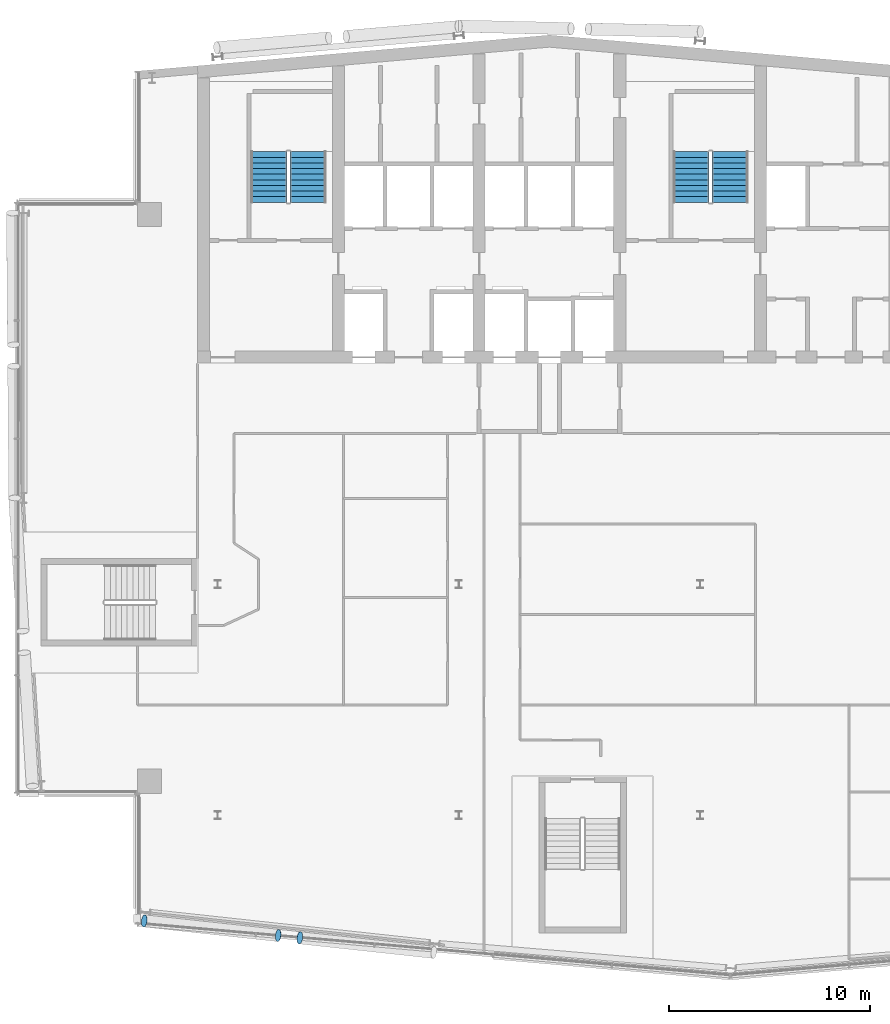
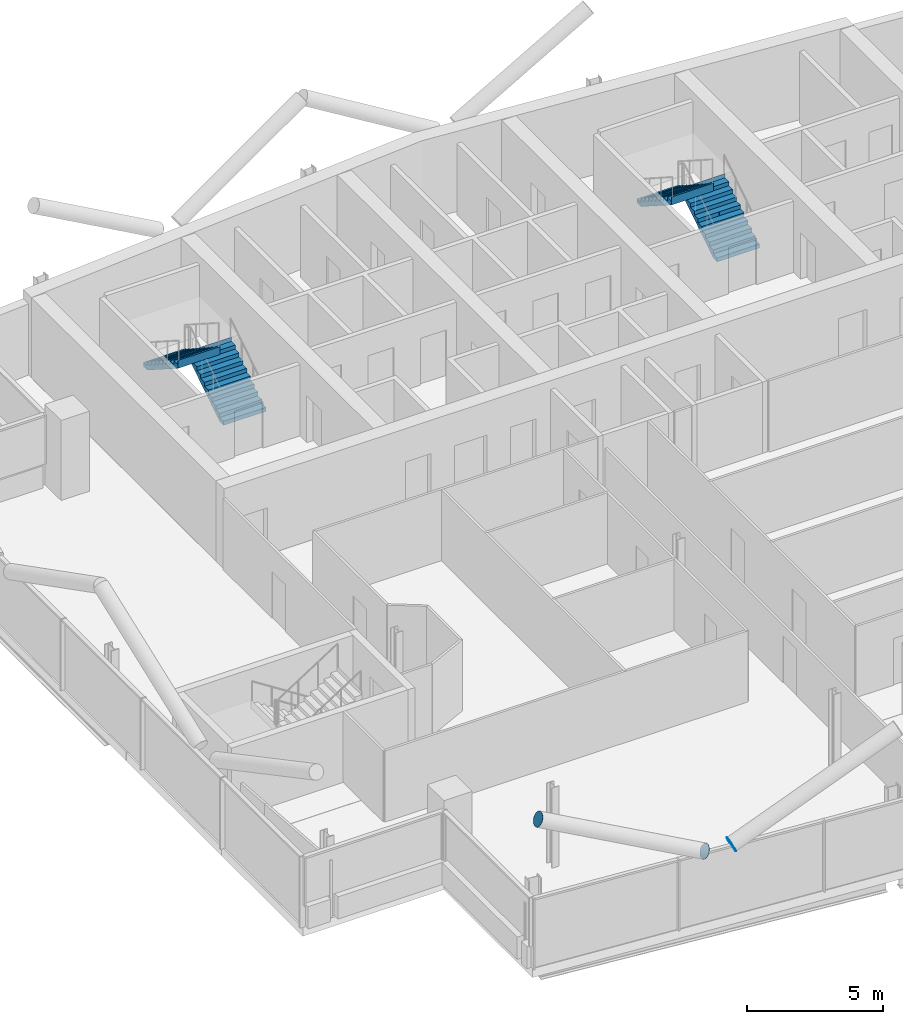
# One storey, part 20 of 27: 4 stair flights, 3 discrete accessories, 2 elements without a shape of their own.
"""IFC4 building model written with IfcOpenShell, lengths in metres."""

from ifc_helpers import new_model, si_unit, direction, frame, origin, origin_2d, place, context, subcontext, project, spatial, polyline, circle, outline, extrude, material, material_profile, profile_set, type_object, element, aggregate, save


model = new_model("IFC4")

# Units and contexts
model_context = context("Model", 3, precision=1e-05, world=origin(), true_north=direction((0.0, 1.0)))
body_context = subcontext(model_context, "Body", "Model", "MODEL_VIEW")
ifc_project = project(units=[si_unit("LENGTHUNIT", "METRE"), si_unit("AREAUNIT", "SQUARE_METRE"), si_unit("VOLUMEUNIT", "CUBIC_METRE"), si_unit("PLANEANGLEUNIT", "RADIAN"), si_unit("MASSUNIT", "GRAM", prefix="KILO")], contexts=[model_context])

# Site, building, storey
site_placement = place(None, origin())
site = spatial("IfcSite", under=ifc_project, at=site_placement, CompositionType="ELEMENT")
building_placement = place(site_placement, origin())
building = spatial("IfcBuilding", under=site, at=building_placement, Name="Wharfspan Tower", CompositionType="ELEMENT")
storey_placement = place(building_placement, frame((0.0, 0.0, 228.699951)))
storey = spatial("IfcBuildingStorey", under=building, at=storey_placement, Name="L57", CompositionType="ELEMENT", Elevation=228.699951)

# Stair, stair flights
ifc_material_1 = material(Name="Concrete C40/50", Category="concrete")
stair_type = type_object("IfcStairType", Name="Half-turn stair 20 risers 180 mm", PredefinedType="HALF_TURN_STAIR", material=ifc_material_1)
stair_1_placement = place(storey_placement, origin())
stair_1 = element("IfcStair", 1, at=stair_1_placement, inside=storey, type_object=stair_type, Name="L57 stair ST1", PredefinedType="HALF_TURN_STAIR")
stair_flight_type = type_object("IfcStairFlightType", Name="Stair flight 20 risers 180 mm", PredefinedType="STRAIGHT", material=ifc_material_1)
stair_flight_1_placement = place(storey_placement, frame((28.5, 42.0, 0.0), z_axis=(0.0, 0.0, 1.0), x_axis=(0.0, 1.0, 0.0)))
stair_flight_1 = element("IfcStairFlight", 2, at=stair_flight_1_placement, type_object=stair_flight_type, Name="ST1 flight 1", NumberOfRisers=10, NumberOfTreads=9, PredefinedType="STRAIGHT", RiserHeight=0.18, TreadLength=0.28, context=body_context, shape_type="SweptSolid", body=[
    extrude(outline(polyline([(-0.011963, 0.0), (-0.011963, 0.179932), (0.0, 0.179932), (0.280029, 0.179932), (0.280029, 0.360107), (0.560059, 0.360107), (0.560059, 0.540039), (0.840088, 0.540039), (0.840088, 0.719971), (1.120117, 0.719971), (1.120117, 0.899902), (1.399902, 0.899902), (1.399902, 1.080078), (1.679932, 1.080078), (1.679932, 1.26001), (1.959961, 1.26001), (1.959961, 1.439941), (2.23999, 1.439941), (2.23999, 1.620117), (2.52002, 1.620117), (2.531982, 1.800049), (2.531982, 1.441895), (0.2771, 0.0), (-0.011963, 0.0)])), frame((0.0, 0.899902, 0.0), z_axis=(0.0, -1.0, 0.0), x_axis=(1.0, 0.0, 0.0)), (0.0, 0.0, 1.0), 0.899414),
    extrude(outline(polyline([(-0.011963, 0.0), (-0.011963, 0.179932), (0.0, 0.179932), (0.280029, 0.179932), (0.280029, 0.360107), (0.560059, 0.360107), (0.560059, 0.540039), (0.840088, 0.540039), (0.840088, 0.719971), (1.120117, 0.719971), (1.120117, 0.899902), (1.399902, 0.899902), (1.399902, 1.080078), (1.679932, 1.080078), (1.679932, 1.26001), (1.959961, 1.26001), (1.959961, 1.439941), (2.23999, 1.439941), (2.23999, 1.620117), (2.52002, 1.620117), (2.531982, 1.800049), (2.531982, 1.441895), (0.2771, 0.0), (-0.011963, 0.0)])), frame((0.0, -0.000488, 0.0), z_axis=(0.0, -1.0, 0.0), x_axis=(1.0, 0.0, 0.0)), (0.0, 0.0, 1.0), 0.899414),
])
stair_flight_2_placement = place(storey_placement, frame((26.550049, 44.52002, 1.800049), z_axis=(0.0, 0.0, 1.0), x_axis=(0.0, -1.0, 0.0)))
stair_flight_2 = element("IfcStairFlight", 3, at=stair_flight_2_placement, type_object=stair_flight_type, Name="ST1 flight 2", NumberOfRisers=10, NumberOfTreads=9, PredefinedType="STRAIGHT", RiserHeight=0.18, TreadLength=0.28, context=body_context, shape_type="SweptSolid", body=[
    extrude(outline(polyline([(-0.011963, 0.0), (-0.011963, 0.179932), (0.0, 0.179932), (0.280029, 0.179932), (0.280029, 0.360107), (0.560059, 0.360107), (0.560059, 0.540039), (0.840088, 0.540039), (0.840088, 0.719971), (1.120117, 0.719971), (1.120117, 0.899902), (1.399902, 0.899902), (1.399902, 1.080078), (1.679932, 1.080078), (1.679932, 1.26001), (1.959961, 1.26001), (1.959961, 1.439941), (2.23999, 1.439941), (2.23999, 1.620117), (2.52002, 1.620117), (2.531982, 1.800049), (2.531982, 1.441895), (0.2771, 0.0), (-0.011963, 0.0)])), frame((0.0, 0.899902, 0.0), z_axis=(0.0, -1.0, 0.0), x_axis=(1.0, 0.0, 0.0)), (0.0, 0.0, 1.0), 0.899414),
    extrude(outline(polyline([(-0.011963, 0.0), (-0.011963, 0.179932), (0.0, 0.179932), (0.280029, 0.179932), (0.280029, 0.360107), (0.560059, 0.360107), (0.560059, 0.540039), (0.840088, 0.540039), (0.840088, 0.719971), (1.120117, 0.719971), (1.120117, 0.899902), (1.399902, 0.899902), (1.399902, 1.080078), (1.679932, 1.080078), (1.679932, 1.26001), (1.959961, 1.26001), (1.959961, 1.439941), (2.23999, 1.439941), (2.23999, 1.620117), (2.52002, 1.620117), (2.531982, 1.800049), (2.531982, 1.441895), (0.2771, 0.0), (-0.011963, 0.0)])), frame((0.0, -0.000488, 0.0), z_axis=(0.0, -1.0, 0.0), x_axis=(1.0, 0.0, 0.0)), (0.0, 0.0, 1.0), 0.899414),
])
aggregate(stair_1, [stair_flight_1, stair_flight_2])

stair_2_placement = place(storey_placement, origin())
stair_2 = element("IfcStair", 4, at=stair_2_placement, inside=storey, type_object=stair_type, Name="L57 stair ST2", PredefinedType="HALF_TURN_STAIR")
stair_flight_3_placement = place(storey_placement, frame((49.5, 42.0, 0.0), z_axis=(0.0, 0.0, 1.0), x_axis=(0.0, 1.0, 0.0)))
stair_flight_3 = element("IfcStairFlight", 5, at=stair_flight_3_placement, type_object=stair_flight_type, Name="ST2 flight 1", NumberOfRisers=10, NumberOfTreads=9, PredefinedType="STRAIGHT", RiserHeight=0.18, TreadLength=0.28, context=body_context, shape_type="SweptSolid", body=[
    extrude(outline(polyline([(-0.011963, 0.0), (-0.011963, 0.179932), (0.0, 0.179932), (0.280029, 0.179932), (0.280029, 0.360107), (0.560059, 0.360107), (0.560059, 0.540039), (0.840088, 0.540039), (0.840088, 0.719971), (1.120117, 0.719971), (1.120117, 0.899902), (1.399902, 0.899902), (1.399902, 1.080078), (1.679932, 1.080078), (1.679932, 1.26001), (1.959961, 1.26001), (1.959961, 1.439941), (2.23999, 1.439941), (2.23999, 1.620117), (2.52002, 1.620117), (2.531982, 1.800049), (2.531982, 1.441895), (0.2771, 0.0), (-0.011963, 0.0)])), frame((0.0, 0.899902, 0.0), z_axis=(0.0, -1.0, 0.0), x_axis=(1.0, 0.0, 0.0)), (0.0, 0.0, 1.0), 0.899414),
    extrude(outline(polyline([(-0.011963, 0.0), (-0.011963, 0.179932), (0.0, 0.179932), (0.280029, 0.179932), (0.280029, 0.360107), (0.560059, 0.360107), (0.560059, 0.540039), (0.840088, 0.540039), (0.840088, 0.719971), (1.120117, 0.719971), (1.120117, 0.899902), (1.399902, 0.899902), (1.399902, 1.080078), (1.679932, 1.080078), (1.679932, 1.26001), (1.959961, 1.26001), (1.959961, 1.439941), (2.23999, 1.439941), (2.23999, 1.620117), (2.52002, 1.620117), (2.531982, 1.800049), (2.531982, 1.441895), (0.2771, 0.0), (-0.011963, 0.0)])), frame((0.0, -0.000488, 0.0), z_axis=(0.0, -1.0, 0.0), x_axis=(1.0, 0.0, 0.0)), (0.0, 0.0, 1.0), 0.899414),
])
stair_flight_4_placement = place(storey_placement, frame((47.550049, 44.52002, 1.800049), z_axis=(0.0, 0.0, 1.0), x_axis=(0.0, -1.0, 0.0)))
stair_flight_4 = element("IfcStairFlight", 6, at=stair_flight_4_placement, type_object=stair_flight_type, Name="ST2 flight 2", NumberOfRisers=10, NumberOfTreads=9, PredefinedType="STRAIGHT", RiserHeight=0.18, TreadLength=0.28, context=body_context, shape_type="SweptSolid", body=[
    extrude(outline(polyline([(-0.011963, 0.0), (-0.011963, 0.179932), (0.0, 0.179932), (0.280029, 0.179932), (0.280029, 0.360107), (0.560059, 0.360107), (0.560059, 0.540039), (0.840088, 0.540039), (0.840088, 0.719971), (1.120117, 0.719971), (1.120117, 0.899902), (1.399902, 0.899902), (1.399902, 1.080078), (1.679932, 1.080078), (1.679932, 1.26001), (1.959961, 1.26001), (1.959961, 1.439941), (2.23999, 1.439941), (2.23999, 1.620117), (2.52002, 1.620117), (2.531982, 1.800049), (2.531982, 1.441895), (0.2771, 0.0), (-0.011963, 0.0)])), frame((0.0, 0.899902, 0.0), z_axis=(0.0, -1.0, 0.0), x_axis=(1.0, 0.0, 0.0)), (0.0, 0.0, 1.0), 0.899414),
    extrude(outline(polyline([(-0.011963, 0.0), (-0.011963, 0.179932), (0.0, 0.179932), (0.280029, 0.179932), (0.280029, 0.360107), (0.560059, 0.360107), (0.560059, 0.540039), (0.840088, 0.540039), (0.840088, 0.719971), (1.120117, 0.719971), (1.120117, 0.899902), (1.399902, 0.899902), (1.399902, 1.080078), (1.679932, 1.080078), (1.679932, 1.26001), (1.959961, 1.26001), (1.959961, 1.439941), (2.23999, 1.439941), (2.23999, 1.620117), (2.52002, 1.620117), (2.531982, 1.800049), (2.531982, 1.441895), (0.2771, 0.0), (-0.011963, 0.0)])), frame((0.0, -0.000488, 0.0), z_axis=(0.0, -1.0, 0.0), x_axis=(1.0, 0.0, 0.0)), (0.0, 0.0, 1.0), 0.899414),
])
aggregate(stair_2, [stair_flight_3, stair_flight_4])

# Discrete accessories
ifc_material_2 = material(Name="Steel S460NH", Category="steel")
ifc_material_profile = material_profile(ifc_material_2, circle(Radius=0.304932, at=origin_2d()))
ifc_profile_set = profile_set([ifc_material_profile], Name="Steel S460NH")
discrete_accessory_type = type_object("IfcDiscreteAccessoryType", Name="End plate CHS 610x25", PredefinedType="BRACKET", material=ifc_profile_set)
discrete_accessory_1_placement = place(storey_placement, frame((28.080078, 5.411865, 3.166748), z_axis=(0.890043, -0.098894, 0.445021), x_axis=(0.110431, 0.99388, 1e-06)))
element("IfcDiscreteAccessory", 7, at=discrete_accessory_1_placement, inside=storey, type_object=discrete_accessory_type, Name="End plate CHS 610x25", PredefinedType="BRACKET", context=body_context, shape_type="SweptSolid", body=[
    extrude(circle(Radius=0.304932, at=origin_2d()), origin(), (0.0, 0.0, 1.0), 0.009766),
])
discrete_accessory_2_placement = place(storey_placement, frame((27.014404, 5.527344, 3.166748), z_axis=(-0.895016, 0.096758, 0.435413), x_axis=(-0.107482, -0.994209, -1e-06)))
element("IfcDiscreteAccessory", 8, at=discrete_accessory_2_placement, inside=storey, type_object=discrete_accessory_type, Name="End plate CHS 610x25", PredefinedType="BRACKET", context=body_context, shape_type="SweptSolid", body=[
    extrude(circle(Radius=0.304932, at=origin_2d()), origin(), (0.0, 0.0, 1.0), 0.01001),
])
discrete_accessory_3_placement = place(storey_placement, frame((20.352539, 6.249268, 6.5), z_axis=(-0.890043, 0.098894, 0.445021), x_axis=(-0.110431, -0.99388, 1e-06)))
element("IfcDiscreteAccessory", 9, at=discrete_accessory_3_placement, inside=storey, type_object=discrete_accessory_type, Name="End plate CHS 610x25", PredefinedType="BRACKET", context=body_context, shape_type="SweptSolid", body=[
    extrude(circle(Radius=0.304932, at=origin_2d()), origin(), (0.0, 0.0, 1.0), 0.009766),
])

save(model, "model.ifc")
